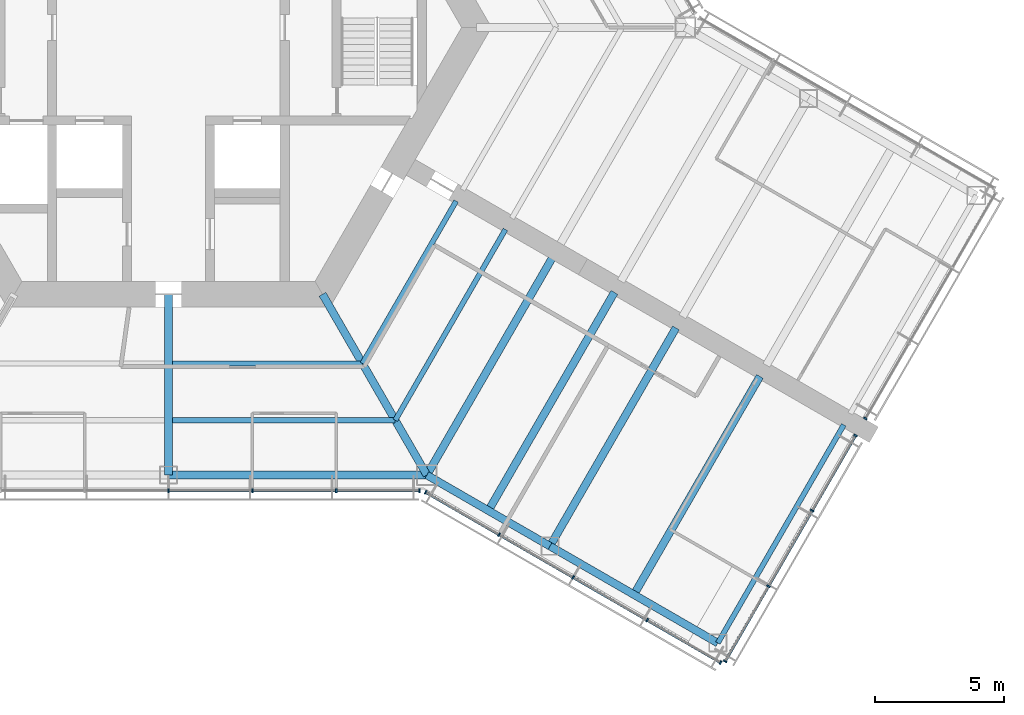
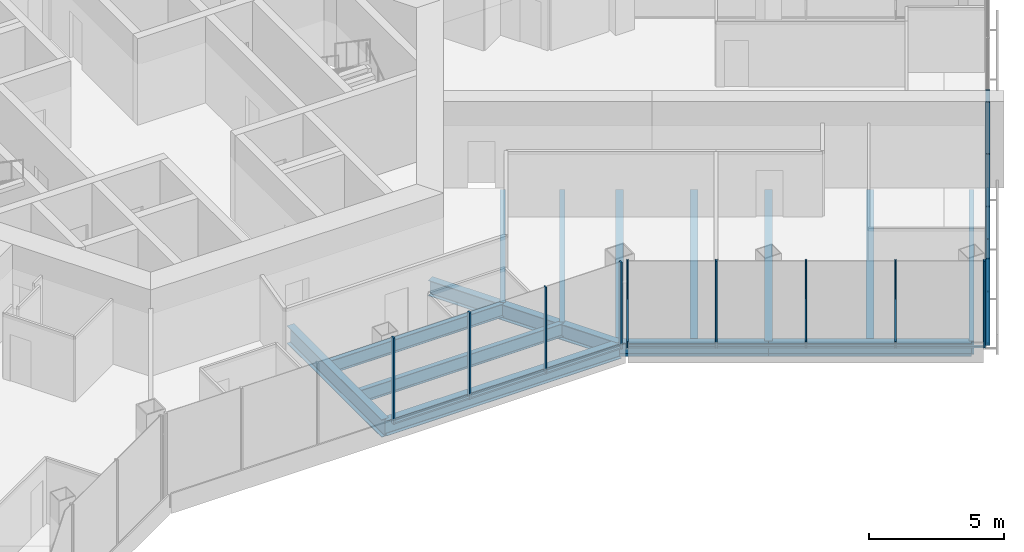
# One storey, part 5 of 18: 24 members, 14 beams, 4 elements without a shape of their own.
"""IFC4 building model written with IfcOpenShell, lengths in metres."""

import ifcopenshell
import ifcopenshell.guid

model = None  # the IFC model being written
_history = None  # IfcOwnerHistory: only IFC2X3 demands one
_inside = {}  # id of a spatial element -> (the spatial element, [elements in it])
_under = {}  # id of a project, library or spatial element -> (it, [spatial elements below it])
_declared = {}  # id of a project -> (the project, [libraries it declares])
_typed = {}  # id of a type object -> (the type object, [elements of that type])
_made_of = {}  # id of a material, layer set ... -> (it, [elements and type objects made of it])


def new_model(schema):
    """Start an empty IFC model of exactly this schema.

    Asked for "IFC4X3", IfcOpenShell would pick the latest addendum, in which some entities
    have other attributes; the version numbers below select the first issue.
    IFC2X3 requires an IfcOwnerHistory on every rooted entity: one is made here for all.
    """
    global model, _history
    if schema == "IFC4X3":
        model = ifcopenshell.file(schema_version=(4, 3, 0, 0))
    else:
        model = ifcopenshell.file(schema=schema)
    _inside.clear()
    _under.clear()
    _declared.clear()
    _typed.clear()
    _made_of.clear()
    _history = None
    if model.schema == "IFC2X3":
        org = make("IfcOrganization", Name="unknown")
        user = make(
            "IfcPersonAndOrganization",
            ThePerson=make("IfcPerson", FamilyName="unknown"),
            TheOrganization=org,
        )
        app = make(
            "IfcApplication",
            ApplicationDeveloper=org,
            Version="unknown",
            ApplicationFullName="unknown",
            ApplicationIdentifier="unknown",
        )
        _history = make(
            "IfcOwnerHistory",
            OwningUser=user,
            OwningApplication=app,
            ChangeAction="ADDED",
            CreationDate=0,
        )
    return model


def make(cls, **values):
    """One entity of the class cls with the attributes given. An attribute that is None is left unset."""
    return model.create_entity(
        cls, **{name: value for name, value in values.items() if value is not None}
    )


def rooted(cls, **values):
    """An entity with a GlobalId (a new one), such as an element, a storey or a relation."""
    return make(cls, GlobalId=ifcopenshell.guid.new(), OwnerHistory=_history, **values)


def si_unit(unit_type, name, prefix=None):
    """IfcSIUnit, for example si_unit("LENGTHUNIT", "METRE", prefix="MILLI")."""
    return make("IfcSIUnit", UnitType=unit_type, Prefix=prefix, Name=name)


def assignment(units):
    """IfcUnitAssignment: the units of a project."""
    return None if units is None else make("IfcUnitAssignment", Units=units)


def point(xyz):
    """IfcCartesianPoint."""
    return None if xyz is None else make("IfcCartesianPoint", Coordinates=xyz)


def direction(xyz):
    """IfcDirection."""
    return None if xyz is None else make("IfcDirection", DirectionRatios=xyz)


def frame(location, z_axis=None, x_axis=None):
    """IfcAxis2Placement3D, a coordinate frame: its origin and axes. An axis left out is left unset."""
    return make(
        "IfcAxis2Placement3D",
        Location=point(location),
        Axis=direction(z_axis),
        RefDirection=direction(x_axis),
    )


def frame_2d(location, x_axis=None):
    """IfcAxis2Placement2D, a coordinate frame in the plane: its origin and x axis."""
    return make(
        "IfcAxis2Placement2D", Location=point(location), RefDirection=direction(x_axis)
    )


def origin():
    """The frame at (0, 0, 0) with its axes left unset."""
    return frame((0.0, 0.0, 0.0))


def origin_2d():
    """The frame at (0, 0) in the plane with its x axis left unset."""
    return frame_2d((0.0, 0.0))


def place(relative_to, where):
    """IfcLocalPlacement: puts the frame where relative to a parent placement (None: the world)."""
    return make(
        "IfcLocalPlacement", PlacementRelTo=relative_to, RelativePlacement=where
    )


def context(
    kind, dimensions, precision=None, world=None, true_north=None, identifier=None
):
    """IfcGeometricRepresentationContext, for example the 3D "Model" context."""
    return make(
        "IfcGeometricRepresentationContext",
        ContextIdentifier=identifier,
        ContextType=kind,
        CoordinateSpaceDimension=dimensions,
        Precision=precision,
        WorldCoordinateSystem=world,
        TrueNorth=true_north,
    )


def subcontext(parent, identifier, kind, view, scale=None):
    """IfcGeometricRepresentationSubContext, for example "Body" below "Model"."""
    return make(
        "IfcGeometricRepresentationSubContext",
        ContextIdentifier=identifier,
        ContextType=kind,
        ParentContext=parent,
        TargetScale=scale,
        TargetView=view,
    )


def project(units=None, contexts=None):
    """IfcProject with its units and contexts."""
    return rooted(
        "IfcProject",
        Name="project",
        RepresentationContexts=contexts,
        UnitsInContext=assignment(units),
    )


def spatial(cls, under=None, at=None, **own):
    """A site, building, storey or space (cls), placed at a placement, below another one or the project."""
    s = rooted(cls, ObjectPlacement=at, **own)
    if under is not None:
        _under.setdefault(under.id(), (under, []))[1].append(s)
    return s


def profile(cls, at=None, kind="AREA", **sizes):
    """A parametric profile (cls). Its sizes go by their IFC names, for example OverallWidth=200.0."""
    return make(cls, ProfileType=kind, Position=at, **sizes)


def rectangle(**sizes):
    """IfcRectangleProfileDef."""
    return profile("IfcRectangleProfileDef", **sizes)


def i_section(**sizes):
    """IfcIShapeProfileDef."""
    return profile("IfcIShapeProfileDef", **sizes)


def extrude(swept, where, along, depth):
    """IfcExtrudedAreaSolid: the profile swept, set in the frame where, extruded along a direction by depth."""
    return make(
        "IfcExtrudedAreaSolid",
        SweptArea=swept,
        Position=where,
        ExtrudedDirection=direction(along),
        Depth=depth,
    )


def shape(context_of_items, identifier, shape_type, items):
    """IfcShapeRepresentation: the items that make up one representation, for example the "Body"."""
    return make(
        "IfcShapeRepresentation",
        ContextOfItems=context_of_items,
        RepresentationIdentifier=identifier,
        RepresentationType=shape_type,
        Items=items,
    )


def material(Name=None, Category=None):
    """IfcMaterial."""
    return make("IfcMaterial", Name=Name, Category=Category)


def material_profile(
    of_material, cross_section, Name=None, Category=None, Priority=None
):
    """IfcMaterialProfile: a cross section and its material."""
    return make(
        "IfcMaterialProfile",
        Name=Name,
        Material=of_material,
        Profile=cross_section,
        Priority=Priority,
        Category=Category,
    )


def profile_set(profiles, Name=None, composite=None):
    """IfcMaterialProfileSet."""
    return make(
        "IfcMaterialProfileSet",
        Name=Name,
        MaterialProfiles=profiles,
        CompositeProfile=composite,
    )


def made_of(thing, what):
    """Note that an element or type object is made of a material, layer set ...; save() writes the relation."""
    if what is not None:
        _made_of.setdefault(what.id(), (what, []))[1].append(thing)
    return thing


def type_object(cls, material=None, **own):
    """A type object (cls), such as IfcWallType, which elements share."""
    return made_of(rooted(cls, **own), material)


def element(
    cls,
    number,
    at=None,
    inside=None,
    cuts=None,
    type_object=None,
    material=None,
    context=None,
    identifier="Body",
    shape_type=None,
    held_by="IfcProductDefinitionShape",
    body=None,
    shapes=None,
    **own,
):
    """One element of the class cls, such as IfcWall. Its Tag is "e" and its number.

    at: its placement. inside: the storey or other place that contains it. cuts: it is an
    opening in that element (IfcRelVoidsElement). A single representation is given by context,
    identifier, shape_type and body (its items); several are given by shapes. held_by: the class
    of the entity that holds the representations. save() writes the other relations.
    """
    e = rooted(cls, Tag="e%d" % number, ObjectPlacement=at, **own)
    if body is not None:
        shapes = [shape(context, identifier, shape_type, body)]
    if shapes is not None:
        e.Representation = make(held_by, Representations=shapes)
    if inside is not None:
        _inside.setdefault(inside.id(), (inside, []))[1].append(e)
    if cuts is not None:
        rooted(
            "IfcRelVoidsElement", RelatingBuildingElement=cuts, RelatedOpeningElement=e
        )
    if type_object is not None:
        _typed.setdefault(type_object.id(), (type_object, []))[1].append(e)
    return made_of(e, material)


def aggregate(whole, parts):
    """IfcRelAggregates: a whole, such as a stair, and the parts it consists of."""
    return rooted("IfcRelAggregates", RelatingObject=whole, RelatedObjects=parts)


def save(model, path):
    """Write the relations noted so far, then the file.

    IfcRelAggregates (storeys below a building ...), IfcRelContainedInSpatialStructure (elements
    in a storey), IfcRelDefinesByType, IfcRelAssociatesMaterial and IfcRelDeclares: one each for
    every whole, place, type object, material and project.
    """
    for whole, parts in _under.values():
        aggregate(whole, parts)
    for where, things in _inside.values():
        rooted(
            "IfcRelContainedInSpatialStructure",
            RelatedElements=things,
            RelatingStructure=where,
        )
    for kind, things in _typed.values():
        rooted("IfcRelDefinesByType", RelatedObjects=things, RelatingType=kind)
    for what, things in _made_of.values():
        rooted("IfcRelAssociatesMaterial", RelatedObjects=things, RelatingMaterial=what)
    for by, libraries in _declared.values():
        rooted("IfcRelDeclares", RelatingContext=by, RelatedDefinitions=libraries)
    model.write(path)


model = new_model("IFC4")

# Units and contexts
model_context = context("Model", 3, precision=1e-05, world=origin(), true_north=direction((0.0, 1.0)))
body_context = subcontext(model_context, "Body", "Model", "MODEL_VIEW")
ifc_project = project(units=[si_unit("LENGTHUNIT", "METRE"), si_unit("AREAUNIT", "SQUARE_METRE"), si_unit("VOLUMEUNIT", "CUBIC_METRE"), si_unit("PLANEANGLEUNIT", "RADIAN"), si_unit("MASSUNIT", "GRAM", prefix="KILO")], contexts=[model_context])

# Site, building, storey
site_placement = place(None, origin())
site = spatial("IfcSite", under=ifc_project, at=site_placement, CompositionType="ELEMENT")
building_placement = place(site_placement, origin())
building = spatial("IfcBuilding", under=site, at=building_placement, Name="Kasaneha Research Tower", CompositionType="ELEMENT")
storey_placement = place(building_placement, frame((0.0, 0.0, 183.800048828125)))
storey = spatial("IfcBuildingStorey", under=building, at=storey_placement, Name="L46", CompositionType="ELEMENT", Elevation=183.800048828125)

# Beams
ifc_material_1 = material(Name="Steel SN490B", Category="steel")
ifc_material_profile_1 = material_profile(ifc_material_1, i_section(OverallWidth=0.199951171875, OverallDepth=0.60009765625, WebThickness=0.010986328125, FlangeThickness=0.01708984375, FilletRadius=0.012939453125, at=origin_2d()), Name="H-600x200x11x17")
ifc_profile_set_1 = profile_set([ifc_material_profile_1], Name="Steel SN490B")
beam_type_1 = type_object("IfcBeamType", Name="B1-3 secondary beam H-600x200x11x17", PredefinedType="JOIST", material=ifc_profile_set_1)
beam_1_placement = place(storey_placement, frame((7.505615234375, -13.0, -0.449951171875), z_axis=(-1.0, 0.0, 0.0), x_axis=(0.0, -1.0, 0.0)))
element("IfcBeam", 1, at=beam_1_placement, inside=storey, type_object=beam_type_1, Name="Secondary beam RS270R1 L46", PredefinedType="JOIST", context=body_context, shape_type="SweptSolid", body=[
    extrude(i_section(OverallWidth=0.199951171875, OverallDepth=0.60009765625, WebThickness=0.010986328125, FlangeThickness=0.01708984375, FilletRadius=0.012939453125, at=origin_2d()), origin(), (0.0, 0.0, 1.0), 7.355712890625),
])
beam_2_placement = place(storey_placement, frame((8.775634765625, -15.199951171875, -0.449951171875), z_axis=(-1.0, 0.0, 0.0), x_axis=(0.0, -1.0, 0.0)))
element("IfcBeam", 2, at=beam_2_placement, inside=storey, type_object=beam_type_1, Name="Secondary beam RS270R2 L46", PredefinedType="JOIST", context=body_context, shape_type="SweptSolid", body=[
    extrude(i_section(OverallWidth=0.199951171875, OverallDepth=0.60009765625, WebThickness=0.010986328125, FlangeThickness=0.01708984375, FilletRadius=0.012939453125, at=origin_2d()), origin(), (0.0, 0.0, 1.0), 8.625732421875),
])
beam_3_placement = place(storey_placement, frame((7.505615234375, -13.0, -0.449951171875), z_axis=(0.499993340521, 0.866029248602, 0.0), x_axis=(-0.866029248602, 0.499993340521, 0.0)))
element("IfcBeam", 3, at=beam_3_placement, inside=storey, type_object=beam_type_1, Name="Secondary beam RS330L1 L46", PredefinedType="JOIST", context=body_context, shape_type="SweptSolid", body=[
    extrude(i_section(OverallWidth=0.199951171875, OverallDepth=0.60009765625, WebThickness=0.010986328125, FlangeThickness=0.01708984375, FilletRadius=0.012939453125, at=origin_2d()), origin(), (0.0, 0.0, 1.0), 7.25537109375),
])
beam_4_placement = place(storey_placement, frame((8.775634765625, -15.199951171875, -0.449951171875), z_axis=(0.500004205306, 0.866022975836, 0.0), x_axis=(-0.866022975836, 0.500004205306, 0.0)))
element("IfcBeam", 4, at=beam_4_placement, inside=storey, type_object=beam_type_1, Name="Secondary beam RS330L2 L46", PredefinedType="JOIST", context=body_context, shape_type="SweptSolid", body=[
    extrude(i_section(OverallWidth=0.199951171875, OverallDepth=0.60009765625, WebThickness=0.010986328125, FlangeThickness=0.01708984375, FilletRadius=0.012939453125, at=origin_2d()), origin(), (0.0, 0.0, 1.0), 8.52587890625),
])
ifc_material_2 = material(Name="Steel SN490B", Category="steel")
ifc_material_profile_2 = material_profile(ifc_material_2, i_section(OverallWidth=0.300048828125, OverallDepth=0.58203125, WebThickness=0.011962890625, FlangeThickness=0.01708984375, FilletRadius=0.012939453125, at=origin_2d()), Name="H-582x300x12x17")
ifc_profile_set_2 = profile_set([ifc_material_profile_2], Name="Steel SN490B")
beam_type_2 = type_object("IfcBeamType", Name="B2-3 secondary beam H-582x300x12x17", PredefinedType="JOIST", material=ifc_profile_set_2)
for number, where, z_axis, x_axis, name in (
    (5, (12.381591796875, -18.695556640625, -0.441162109375), (0.499995560238, 0.866027967067, 0.0), (-0.866027967067, 0.499995560238, 0.0), "Secondary beam WBCP1 L46"),
    (6, (18.0107421875, -21.945556640625, -0.441162109375), (0.499995560238, 0.866027967067, 0.0), (-0.866027967067, 0.499995560238, 0.0), "Secondary beam WBCP2 L46"),
):
    element("IfcBeam", number, at=place(storey_placement, frame(where, z_axis=z_axis, x_axis=x_axis)), inside=storey, type_object=beam_type_2, Name=name, PredefinedType="JOIST", context=body_context, shape_type="SweptSolid", body=[
        extrude(i_section(OverallWidth=0.300048828125, OverallDepth=0.58203125, WebThickness=0.011962890625, FlangeThickness=0.01708984375, FilletRadius=0.012939453125, at=origin_2d()), origin(), (0.0, 0.0, 1.0), 9.75),
    ])

# Curtain wall, members
ifc_material_3 = material(Name="Glass and aluminium", Category="aluminium")
curtain_wall_type = type_object("IfcCurtainWallType", Name="Mid-rise office curtain wall", PredefinedType="USERDEFINED", material=ifc_material_3)
curtain_wall_1_placement = place(storey_placement, origin())
curtain_wall_1 = element("IfcCurtainWall", 7, at=curtain_wall_1_placement, inside=storey, type_object=curtain_wall_type, Name="CW-O2 L46 run 01a", ObjectType="UNITISED CURTAIN WALL", PredefinedType="USERDEFINED")
ifc_material_4 = material(Name="Aluminium 6063-T6", Category="aluminium")
ifc_material_profile_3 = material_profile(ifc_material_4, rectangle(XDim=0.06005859375, YDim=0.14990234375, at=origin_2d()), Name="CW-O2 mullion 60x150")
ifc_profile_set_3 = profile_set([ifc_material_profile_3], Name="Aluminium 6063-T6")
member_type_1 = type_object("IfcMemberType", Name="CW-O2 mullion", PredefinedType="MULLION", material=ifc_profile_set_3)
member_1_placement = place(storey_placement, frame((0.0, -17.92041015625, 0.0), z_axis=(0.0, 0.0, 1.0), x_axis=(1.0, 0.0, 0.0)))
member_1 = element("IfcMember", 8, at=member_1_placement, type_object=member_type_1, Name="CW-O2 mullion 4", PredefinedType="MULLION", context=body_context, shape_type="SweptSolid", body=[
    extrude(rectangle(XDim=0.06005859375, YDim=0.14990234375, at=origin_2d()), origin(), (0.0, 0.0, 1.0), 3.89990234375),
])
member_2_placement = place(storey_placement, frame((3.246337890625, -17.92041015625, 0.0), z_axis=(0.0, 0.0, 1.0), x_axis=(1.0, 0.0, 0.0)))
member_2 = element("IfcMember", 9, at=member_2_placement, type_object=member_type_1, Name="CW-O2 mullion 5", PredefinedType="MULLION", context=body_context, shape_type="SweptSolid", body=[
    extrude(rectangle(XDim=0.06005859375, YDim=0.14990234375, at=origin_2d()), origin(), (0.0, 0.0, 1.0), 3.89990234375),
])
member_3_placement = place(storey_placement, frame((6.492919921875, -17.92041015625, 0.0), z_axis=(0.0, 0.0, 1.0), x_axis=(1.0, 0.0, 0.0)))
member_3 = element("IfcMember", 10, at=member_3_placement, type_object=member_type_1, Name="CW-O2 mullion 6", PredefinedType="MULLION", context=body_context, shape_type="SweptSolid", body=[
    extrude(rectangle(XDim=0.06005859375, YDim=0.14990234375, at=origin_2d()), origin(), (0.0, 0.0, 1.0), 3.89990234375),
])
member_4_placement = place(storey_placement, frame((9.709228515625, -17.92041015625, 0.0), z_axis=(0.0, 0.0, 1.0), x_axis=(1.0, 0.0, 0.0)))
member_4 = element("IfcMember", 11, at=member_4_placement, type_object=member_type_1, Name="CW-O2 mullion 7", PredefinedType="MULLION", context=body_context, shape_type="SweptSolid", body=[
    extrude(rectangle(XDim=0.06005859375, YDim=0.14990234375, at=origin_2d()), origin(), (0.0, 0.0, 1.0), 3.89990234375),
])

curtain_wall_2_placement = place(storey_placement, origin())
curtain_wall_2 = element("IfcCurtainWall", 12, at=curtain_wall_2_placement, inside=storey, type_object=curtain_wall_type, Name="CW-O2 L46 run 02a", ObjectType="UNITISED CURTAIN WALL", PredefinedType="USERDEFINED")
member_5_placement = place(storey_placement, frame((9.951904296875, -17.985595703125, 0.0), z_axis=(0.0, 0.0, 1.0), x_axis=(0.866025411464, -0.499999986699, 0.0)))
member_5 = element("IfcMember", 13, at=member_5_placement, type_object=member_type_1, Name="CW-O2 mullion 1", PredefinedType="MULLION", context=body_context, shape_type="SweptSolid", body=[
    extrude(rectangle(XDim=0.06005859375, YDim=0.14990234375, at=origin_2d()), origin(), (0.0, 0.0, 1.0), 3.89990234375),
])
member_6_placement = place(storey_placement, frame((12.792236328125, -19.62548828125, 0.0), z_axis=(0.0, 0.0, 1.0), x_axis=(0.866025411464, -0.499999986699, 0.0)))
member_6 = element("IfcMember", 14, at=member_6_placement, type_object=member_type_1, Name="CW-O2 mullion 2", PredefinedType="MULLION", context=body_context, shape_type="SweptSolid", body=[
    extrude(rectangle(XDim=0.06005859375, YDim=0.14990234375, at=origin_2d()), origin(), (0.0, 0.0, 1.0), 3.89990234375),
])
member_7_placement = place(storey_placement, frame((15.65869140625, -21.2802734375, 0.0), z_axis=(0.0, 0.0, 1.0), x_axis=(0.866025411464, -0.499999986699, 0.0)))
member_7 = element("IfcMember", 15, at=member_7_placement, type_object=member_type_1, Name="CW-O2 mullion 3", PredefinedType="MULLION", context=body_context, shape_type="SweptSolid", body=[
    extrude(rectangle(XDim=0.06005859375, YDim=0.14990234375, at=origin_2d()), origin(), (0.0, 0.0, 1.0), 3.89990234375),
])
member_8_placement = place(storey_placement, frame((18.52490234375, -22.935302734375, 0.0), z_axis=(0.0, 0.0, 1.0), x_axis=(0.866025411464, -0.499999986699, 0.0)))
member_8 = element("IfcMember", 16, at=member_8_placement, type_object=member_type_1, Name="CW-O2 mullion 4", PredefinedType="MULLION", context=body_context, shape_type="SweptSolid", body=[
    extrude(rectangle(XDim=0.06005859375, YDim=0.14990234375, at=origin_2d()), origin(), (0.0, 0.0, 1.0), 3.89990234375),
])
member_9_placement = place(storey_placement, frame((21.365478515625, -24.5751953125, 0.0), z_axis=(0.0, 0.0, 1.0), x_axis=(0.866025411464, -0.499999986699, 0.0)))
member_9 = element("IfcMember", 17, at=member_9_placement, type_object=member_type_1, Name="CW-O2 mullion 5", PredefinedType="MULLION", context=body_context, shape_type="SweptSolid", body=[
    extrude(rectangle(XDim=0.06005859375, YDim=0.14990234375, at=origin_2d()), origin(), (0.0, 0.0, 1.0), 3.89990234375),
])

curtain_wall_3_placement = place(storey_placement, origin())
curtain_wall_3 = element("IfcCurtainWall", 18, at=curtain_wall_3_placement, inside=storey, type_object=curtain_wall_type, Name="CW-O2 L46 run 03a", ObjectType="UNITISED CURTAIN WALL", PredefinedType="USERDEFINED")
member_10_placement = place(storey_placement, frame((21.54296875, -24.527587890625, 0.0), z_axis=(0.0, 0.0, 1.0), x_axis=(0.500000011442, 0.866025397178, 0.0)))
member_10 = element("IfcMember", 19, at=member_10_placement, type_object=member_type_1, Name="CW-O2 mullion 1", PredefinedType="MULLION", context=body_context, shape_type="SweptSolid", body=[
    extrude(rectangle(XDim=0.06005859375, YDim=0.14990234375, at=origin_2d()), origin(), (0.0, 0.0, 1.0), 3.89990234375),
])
member_11_placement = place(storey_placement, frame((23.2197265625, -21.62353515625, 0.0), z_axis=(0.0, 0.0, 1.0), x_axis=(0.500000011442, 0.866025397178, 0.0)))
member_11 = element("IfcMember", 20, at=member_11_placement, type_object=member_type_1, Name="CW-O2 mullion 2", PredefinedType="MULLION", context=body_context, shape_type="SweptSolid", body=[
    extrude(rectangle(XDim=0.06005859375, YDim=0.14990234375, at=origin_2d()), origin(), (0.0, 0.0, 1.0), 3.89990234375),
])
member_12_placement = place(storey_placement, frame((24.911376953125, -18.693359375, 0.0), z_axis=(0.0, 0.0, 1.0), x_axis=(0.500000011442, 0.866025397178, 0.0)))
member_12 = element("IfcMember", 21, at=member_12_placement, type_object=member_type_1, Name="CW-O2 mullion 3", PredefinedType="MULLION", context=body_context, shape_type="SweptSolid", body=[
    extrude(rectangle(XDim=0.06005859375, YDim=0.14990234375, at=origin_2d()), origin(), (0.0, 0.0, 1.0), 3.89990234375),
])
member_13_placement = place(storey_placement, frame((26.587890625, -15.789306640625, 0.0), z_axis=(0.0, 0.0, 1.0), x_axis=(0.500000011442, 0.866025397178, 0.0)))
member_13 = element("IfcMember", 22, at=member_13_placement, type_object=member_type_1, Name="CW-O2 mullion 4", PredefinedType="MULLION", context=body_context, shape_type="SweptSolid", body=[
    extrude(rectangle(XDim=0.06005859375, YDim=0.14990234375, at=origin_2d()), origin(), (0.0, 0.0, 1.0), 3.89990234375),
])

# Curtain wall, member
curtain_wall_4_placement = place(storey_placement, origin())
curtain_wall_4 = element("IfcCurtainWall", 23, at=curtain_wall_4_placement, inside=storey, type_object=curtain_wall_type, Name="CW-O2 L46 run 04a", ObjectType="UNITISED CURTAIN WALL", PredefinedType="USERDEFINED")
member_14_placement = place(storey_placement, frame((26.968017578125, -15.131103515625, 0.0), z_axis=(0.0, 0.0, 1.0), x_axis=(0.500000011442, 0.866025397178, 0.0)))
member_14 = element("IfcMember", 24, at=member_14_placement, type_object=member_type_1, Name="CW-O2 mullion 1", PredefinedType="MULLION", context=body_context, shape_type="SweptSolid", body=[
    extrude(rectangle(XDim=0.06005859375, YDim=0.14990234375, at=origin_2d()), origin(), (0.0, 0.0, 1.0), 3.89990234375),
])
aggregate(curtain_wall_4, [member_14])

# Member
ifc_material_5 = material(Name="Aluminium 6063-T6", Category="aluminium")
ifc_material_profile_4 = material_profile(ifc_material_5, rectangle(XDim=0.110107421875, YDim=0.06005859375, at=origin_2d()), Name="CW-O2 transom 110x60")
ifc_profile_set_4 = profile_set([ifc_material_profile_4], Name="Aluminium 6063-T6")
member_type_2 = type_object("IfcMemberType", Name="CW-O2 transom", PredefinedType="USERDEFINED", material=ifc_profile_set_4)
member_15_placement = place(storey_placement, frame((0.030029296875, -17.92041015625, 0.030029296875), z_axis=(1.0, 0.0, 0.0), x_axis=(0.0, 1.0, 0.0)))
member_15 = element("IfcMember", 25, at=member_15_placement, type_object=member_type_2, Name="CW-O2 transom 4", ObjectType="TRANSOM", PredefinedType="USERDEFINED", context=body_context, shape_type="SweptSolid", body=[
    extrude(rectangle(XDim=0.110107421875, YDim=0.06005859375, at=origin_2d()), origin(), (0.0, 0.0, 1.0), 3.186279296875),
])

member_16_placement = place(storey_placement, frame((3.2763671875, -17.92041015625, 0.030029296875), z_axis=(1.0, 0.0, 0.0), x_axis=(0.0, 1.0, 0.0)))
member_16 = element("IfcMember", 26, at=member_16_placement, type_object=member_type_2, Name="CW-O2 transom 5", ObjectType="TRANSOM", PredefinedType="USERDEFINED", context=body_context, shape_type="SweptSolid", body=[
    extrude(rectangle(XDim=0.110107421875, YDim=0.06005859375, at=origin_2d()), origin(), (0.0, 0.0, 1.0), 3.1865234375),
])

member_17_placement = place(storey_placement, frame((6.522705078125, -17.92041015625, 0.030029296875), z_axis=(1.0, 0.0, 0.0), x_axis=(0.0, 1.0, 0.0)))
member_17 = element("IfcMember", 27, at=member_17_placement, type_object=member_type_2, Name="CW-O2 transom 6", ObjectType="TRANSOM", PredefinedType="USERDEFINED", context=body_context, shape_type="SweptSolid", body=[
    extrude(rectangle(XDim=0.110107421875, YDim=0.06005859375, at=origin_2d()), origin(), (0.0, 0.0, 1.0), 3.156494140625),
])

aggregate(curtain_wall_1, [member_1, member_2, member_3, member_4, member_15, member_16, member_17])

member_18_placement = place(storey_placement, frame((9.977783203125, -18.00048828125, 0.030029296875), z_axis=(0.866022692473, -0.500004696101, 0.0), x_axis=(0.500004696101, 0.866022692473, 0.0)))
member_18 = element("IfcMember", 28, at=member_18_placement, type_object=member_type_2, Name="CW-O2 transom 1", ObjectType="TRANSOM", PredefinedType="USERDEFINED", context=body_context, shape_type="SweptSolid", body=[
    extrude(rectangle(XDim=0.110107421875, YDim=0.06005859375, at=origin_2d()), origin(), (0.0, 0.0, 1.0), 3.2197265625),
])

member_19_placement = place(storey_placement, frame((12.818115234375, -19.640380859375, 0.030029296875), z_axis=(0.866015446554, -0.500017246033, 0.0), x_axis=(0.500017246033, 0.866015446554, 0.0)))
member_19 = element("IfcMember", 29, at=member_19_placement, type_object=member_type_2, Name="CW-O2 transom 2", ObjectType="TRANSOM", PredefinedType="USERDEFINED", context=body_context, shape_type="SweptSolid", body=[
    extrude(rectangle(XDim=0.110107421875, YDim=0.06005859375, at=origin_2d()), origin(), (0.0, 0.0, 1.0), 3.25),
])

member_20_placement = place(storey_placement, frame((15.6845703125, -21.29541015625, 0.030029296875), z_axis=(0.86604797581, -0.499960902066, 0.0), x_axis=(0.499960902066, 0.86604797581, 0.0)))
member_20 = element("IfcMember", 30, at=member_20_placement, type_object=member_type_2, Name="CW-O2 transom 3", ObjectType="TRANSOM", PredefinedType="USERDEFINED", context=body_context, shape_type="SweptSolid", body=[
    extrude(rectangle(XDim=0.110107421875, YDim=0.06005859375, at=origin_2d()), origin(), (0.0, 0.0, 1.0), 3.249755859375),
])

member_21_placement = place(storey_placement, frame((18.551025390625, -22.9501953125, 0.030029296875), z_axis=(0.866022692473, -0.500004696101, 0.0), x_axis=(0.500004696101, 0.866022692473, 0.0)))
member_21 = element("IfcMember", 31, at=member_21_placement, type_object=member_type_2, Name="CW-O2 transom 4", ObjectType="TRANSOM", PredefinedType="USERDEFINED", context=body_context, shape_type="SweptSolid", body=[
    extrude(rectangle(XDim=0.110107421875, YDim=0.06005859375, at=origin_2d()), origin(), (0.0, 0.0, 1.0), 3.2197265625),
])

aggregate(curtain_wall_2, [member_5, member_6, member_7, member_8, member_9, member_18, member_19, member_20, member_21])

member_22_placement = place(storey_placement, frame((21.557861328125, -24.50146484375, 0.030029296875), z_axis=(0.500021914551, 0.866012751043, 0.0), x_axis=(-0.866012751043, 0.500021914551, 0.0)))
member_22 = element("IfcMember", 32, at=member_22_placement, type_object=member_type_2, Name="CW-O2 transom 1", ObjectType="TRANSOM", PredefinedType="USERDEFINED", context=body_context, shape_type="SweptSolid", body=[
    extrude(rectangle(XDim=0.110107421875, YDim=0.06005859375, at=origin_2d()), origin(), (0.0, 0.0, 1.0), 3.293212890625),
])

member_23_placement = place(storey_placement, frame((23.234619140625, -21.597412109375, 0.030029296875), z_axis=(0.500010745865, 0.866019199568, 0.0), x_axis=(-0.866019199568, 0.500010745865, 0.0)))
member_23 = element("IfcMember", 33, at=member_23_placement, type_object=member_type_2, Name="CW-O2 transom 2", ObjectType="TRANSOM", PredefinedType="USERDEFINED", context=body_context, shape_type="SweptSolid", body=[
    extrude(rectangle(XDim=0.110107421875, YDim=0.06005859375, at=origin_2d()), origin(), (0.0, 0.0, 1.0), 3.3232421875),
])

member_24_placement = place(storey_placement, frame((24.92626953125, -18.66748046875, 0.030029296875), z_axis=(0.500021914551, 0.866012751043, 0.0), x_axis=(-0.866012751043, 0.500021914551, 0.0)))
member_24 = element("IfcMember", 34, at=member_24_placement, type_object=member_type_2, Name="CW-O2 transom 3", ObjectType="TRANSOM", PredefinedType="USERDEFINED", context=body_context, shape_type="SweptSolid", body=[
    extrude(rectangle(XDim=0.110107421875, YDim=0.06005859375, at=origin_2d()), origin(), (0.0, 0.0, 1.0), 3.293212890625),
])

aggregate(curtain_wall_3, [member_10, member_11, member_12, member_13, member_22, member_23, member_24])

# Beams
ifc_material_6 = material(Name="Steel SN490B", Category="steel")
ifc_material_profile_5 = material_profile(ifc_material_6, i_section(OverallWidth=0.300048828125, OverallDepth=0.699951171875, WebThickness=0.012939453125, FlangeThickness=0.02392578125, FilletRadius=0.01806640625, at=origin_2d()), Name="H-700x300x13x24")
ifc_profile_set_5 = profile_set([ifc_material_profile_5], Name="Steel SN490B")
beam_type_3 = type_object("IfcBeamType", Name="G1-3 radial girder H-700x300x13x24", PredefinedType="BEAM", material=ifc_profile_set_5)
beam_5_placement = place(storey_placement, frame((5.961181640625, -10.324951171875, -0.5), z_axis=(0.49999105496, -0.866030568144, 0.0), x_axis=(0.866030568144, 0.49999105496, 0.0)))
element("IfcBeam", 35, at=beam_5_placement, inside=storey, type_object=beam_type_3, Name="Radial girder RV300 L46", PredefinedType="BEAM", context=body_context, shape_type="SweptSolid", body=[
    extrude(i_section(OverallWidth=0.300048828125, OverallDepth=0.699951171875, WebThickness=0.012939453125, FlangeThickness=0.02392578125, FilletRadius=0.01806640625, at=origin_2d()), origin(), (0.0, 0.0, 1.0), 8.077880859375),
])
ifc_material_7 = material(Name="Steel SN490B", Category="steel")
ifc_material_profile_6 = material_profile(ifc_material_7, i_section(OverallWidth=0.300048828125, OverallDepth=0.800048828125, WebThickness=0.013916015625, FlangeThickness=0.02587890625, FilletRadius=0.01806640625, at=origin_2d()), Name="H-800x300x14x26")
ifc_profile_set_6 = profile_set([ifc_material_profile_6], Name="Steel SN490B")
beam_type_4 = type_object("IfcBeamType", Name="G2-3 radial girder H-800x300x14x26", PredefinedType="BEAM", material=ifc_profile_set_6)
beam_6_placement = place(storey_placement, frame((0.0, -10.324951171875, -0.550048828125), z_axis=(0.0, -1.0, 0.0), x_axis=(1.0, 0.0, 0.0)))
element("IfcBeam", 36, at=beam_6_placement, inside=storey, type_object=beam_type_4, Name="Radial girder RM270 L46", PredefinedType="BEAM", context=body_context, shape_type="SweptSolid", body=[
    extrude(i_section(OverallWidth=0.300048828125, OverallDepth=0.800048828125, WebThickness=0.013916015625, FlangeThickness=0.02587890625, FilletRadius=0.01806640625, at=origin_2d()), origin(), (0.0, 0.0, 1.0), 6.99560546875),
])
ifc_material_8 = material(Name="Steel SN490B", Category="steel")
ifc_material_profile_7 = material_profile(ifc_material_8, i_section(OverallWidth=0.300048828125, OverallDepth=0.69189453125, WebThickness=0.012939453125, FlangeThickness=0.02001953125, FilletRadius=0.01806640625, at=origin_2d()), Name="H-692x300x13x20")
ifc_profile_set_7 = profile_set([ifc_material_profile_7], Name="Steel SN490B")
beam_type_5 = type_object("IfcBeamType", Name="G3-3 plate edge girder H-692x300x13x20", PredefinedType="BEAM", material=ifc_profile_set_7)
beam_7_placement = place(storey_placement, frame((10.0, -17.320556640625, -0.49609375), z_axis=(0.499995560238, 0.866027967067, 0.0), x_axis=(-0.866027967067, 0.499995560238, 0.0)))
element("IfcBeam", 37, at=beam_7_placement, inside=storey, type_object=beam_type_5, Name="Plate edge girder PECP L46", PredefinedType="BEAM", context=body_context, shape_type="SweptSolid", body=[
    extrude(i_section(OverallWidth=0.300048828125, OverallDepth=0.69189453125, WebThickness=0.012939453125, FlangeThickness=0.02001953125, FilletRadius=0.01806640625, at=origin_2d()), origin(), (0.0, 0.0, 1.0), 9.75),
])
ifc_material_9 = material(Name="Steel SN490B", Category="steel")
ifc_material_profile_8 = material_profile(ifc_material_9, i_section(OverallWidth=0.300048828125, OverallDepth=0.699951171875, WebThickness=0.012939453125, FlangeThickness=0.02392578125, FilletRadius=0.01806640625, at=origin_2d()), Name="H-700x300x13x24")
ifc_profile_set_8 = profile_set([ifc_material_profile_8], Name="Steel SN490B")
beam_type_6 = type_object("IfcBeamType", Name="G4-3 wing girder H-700x300x13x24", PredefinedType="BEAM", material=ifc_profile_set_8)
beam_8_placement = place(storey_placement, frame((14.76318359375, -20.070556640625, -0.5), z_axis=(0.499995560238, 0.866027967067, 0.0), x_axis=(-0.866027967067, 0.499995560238, 0.0)))
element("IfcBeam", 38, at=beam_8_placement, inside=storey, type_object=beam_type_6, Name="Wing girder WGCP L46", PredefinedType="BEAM", context=body_context, shape_type="SweptSolid", body=[
    extrude(i_section(OverallWidth=0.300048828125, OverallDepth=0.699951171875, WebThickness=0.012939453125, FlangeThickness=0.02392578125, FilletRadius=0.01806640625, at=origin_2d()), origin(), (0.0, 0.0, 1.0), 9.75),
])
ifc_material_10 = material(Name="Steel SN490B", Category="steel")
ifc_material_profile_9 = material_profile(ifc_material_10, i_section(OverallWidth=0.300048828125, OverallDepth=0.69189453125, WebThickness=0.012939453125, FlangeThickness=0.02001953125, FilletRadius=0.01806640625, at=origin_2d()), Name="H-692x300x13x20")
ifc_profile_set_9 = profile_set([ifc_material_profile_9], Name="Steel SN490B")
beam_type_7 = type_object("IfcBeamType", Name="SB1-3 spandrel beam H-692x300x13x20", PredefinedType="SPANDREL", material=ifc_profile_set_9)
beam_9_placement = place(storey_placement, frame((10.0, -17.320556640625, -0.49609375), z_axis=(-1.0, 0.0, 0.0), x_axis=(0.0, -1.0, 0.0)))
element("IfcBeam", 39, at=beam_9_placement, inside=storey, type_object=beam_type_7, Name="Spandrel beam SR270R L46", PredefinedType="SPANDREL", context=body_context, shape_type="SweptSolid", body=[
    extrude(i_section(OverallWidth=0.300048828125, OverallDepth=0.69189453125, WebThickness=0.012939453125, FlangeThickness=0.02001953125, FilletRadius=0.01806640625, at=origin_2d()), origin(), (0.0, 0.0, 1.0), 10.0),
])
ifc_material_11 = material(Name="Steel SN490B", Category="steel")
ifc_material_profile_10 = material_profile(ifc_material_11, i_section(OverallWidth=0.300048828125, OverallDepth=0.58203125, WebThickness=0.011962890625, FlangeThickness=0.01708984375, FilletRadius=0.012939453125, at=origin_2d()), Name="H-582x300x12x17")
ifc_profile_set_10 = profile_set([ifc_material_profile_10], Name="Steel SN490B")
beam_type_8 = type_object("IfcBeamType", Name="SB2-3 spandrel beam H-582x300x12x17", PredefinedType="SPANDREL", material=ifc_profile_set_10)
beam_10_placement = place(storey_placement, frame((10.0, -17.320556640625, -0.441162109375), z_axis=(0.866027397988, -0.499996545922, 0.0), x_axis=(0.499996545922, 0.866027397988, 0.0)))
element("IfcBeam", 40, at=beam_10_placement, inside=storey, type_object=beam_type_8, Name="Spandrel beam WSCP1 L46", PredefinedType="SPANDREL", context=body_context, shape_type="SweptSolid", body=[
    extrude(i_section(OverallWidth=0.300048828125, OverallDepth=0.58203125, WebThickness=0.011962890625, FlangeThickness=0.01708984375, FilletRadius=0.012939453125, at=origin_2d()), origin(), (0.0, 0.0, 1.0), 5.5),
])
beam_11_placement = place(storey_placement, frame((14.76318359375, -20.070556640625, -0.441162109375), z_axis=(0.866022959057, -0.500004234368, 0.0), x_axis=(0.500004234368, 0.866022959057, 0.0)))
element("IfcBeam", 41, at=beam_11_placement, inside=storey, type_object=beam_type_8, Name="Spandrel beam WSCP2 L46", PredefinedType="SPANDREL", context=body_context, shape_type="SweptSolid", body=[
    extrude(i_section(OverallWidth=0.300048828125, OverallDepth=0.58203125, WebThickness=0.011962890625, FlangeThickness=0.01708984375, FilletRadius=0.012939453125, at=origin_2d()), origin(), (0.0, 0.0, 1.0), 7.5),
])
ifc_material_12 = material(Name="Steel SN490B", Category="steel")
ifc_material_profile_11 = material_profile(ifc_material_12, i_section(OverallWidth=0.199951171875, OverallDepth=0.60009765625, WebThickness=0.010986328125, FlangeThickness=0.01708984375, FilletRadius=0.012939453125, at=origin_2d()), Name="H-600x200x11x17")
ifc_profile_set_11 = profile_set([ifc_material_profile_11], Name="Steel SN490B")
beam_type_9 = type_object("IfcBeamType", Name="SB3-3 spandrel beam H-600x200x11x17", PredefinedType="SPANDREL", material=ifc_profile_set_11)
beam_12_placement = place(storey_placement, frame((21.25830078125, -23.820556640625, -0.449951171875), z_axis=(0.499995560238, 0.866027967067, 0.0), x_axis=(-0.866027967067, 0.499995560238, 0.0)))
element("IfcBeam", 42, at=beam_12_placement, inside=storey, type_object=beam_type_9, Name="Spandrel beam WTCP L46", PredefinedType="SPANDREL", context=body_context, shape_type="SweptSolid", body=[
    extrude(i_section(OverallWidth=0.199951171875, OverallDepth=0.60009765625, WebThickness=0.010986328125, FlangeThickness=0.01708984375, FilletRadius=0.012939453125, at=origin_2d()), origin(), (0.0, 0.0, 1.0), 9.75),
])

save(model, "model.ifc")
